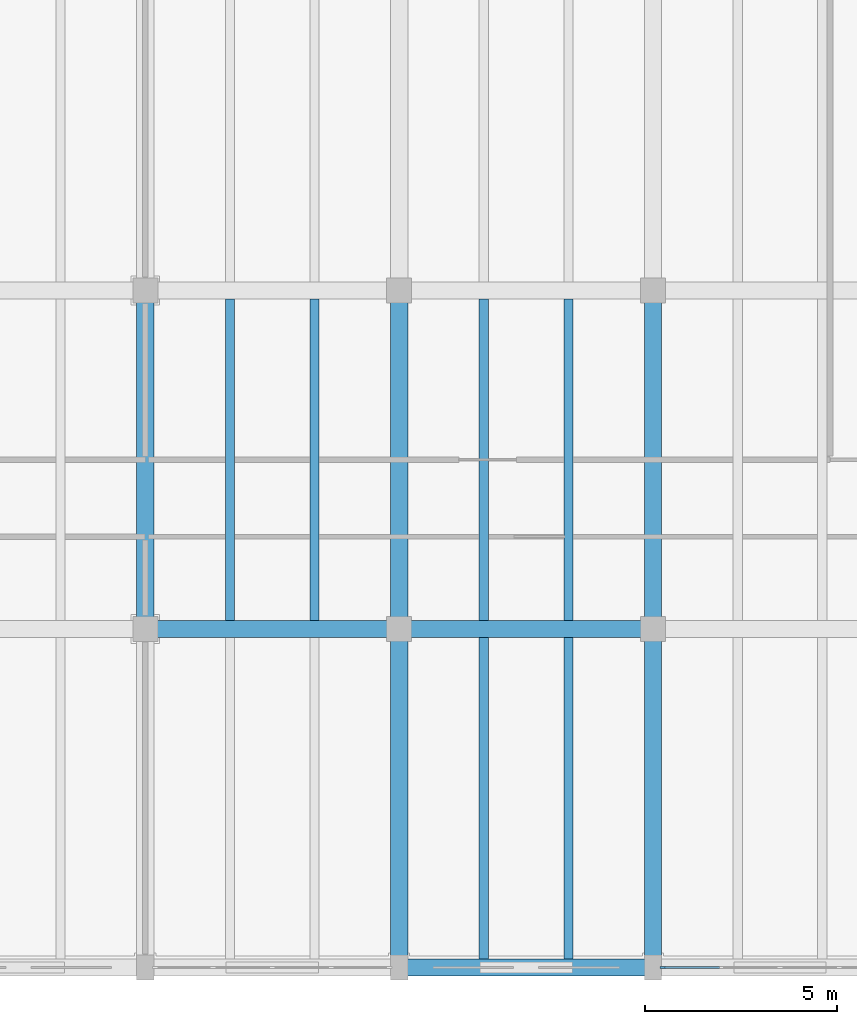
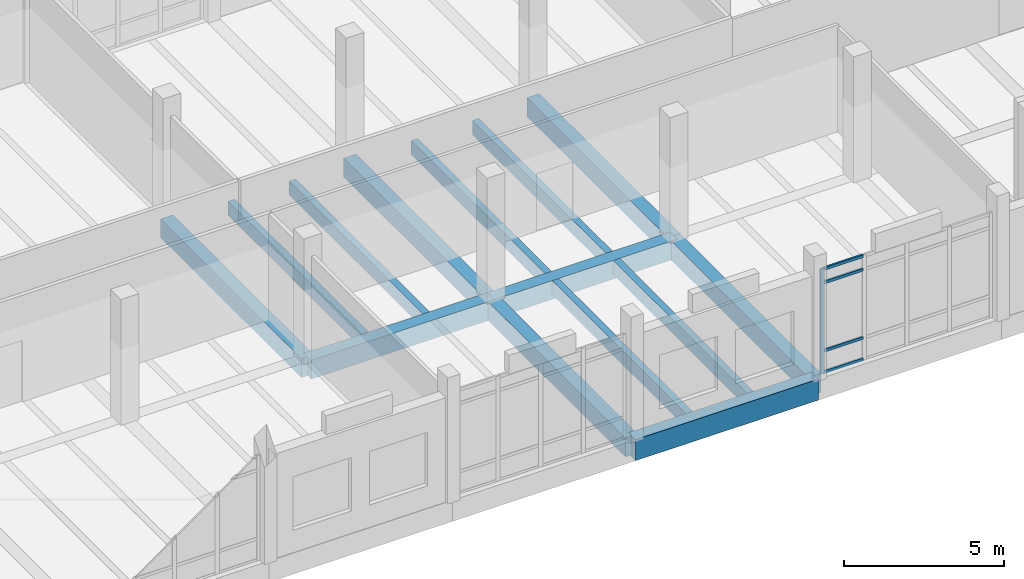
# One storey, part 36 of 101: 14 beams, 5 members, 1 element without a shape of its own.
"""IFC4 building model written with IfcOpenShell, lengths in metres."""

from ifc_helpers import new_model, si_unit, direction, frame, origin, origin_2d, place, context, subcontext, project, spatial, rectangle, extrude, material, material_profile, profile_set, type_object, element, aggregate, save


model = new_model("IFC4")

# Units and contexts
model_context = context("Model", 3, precision=1e-05, world=origin(), true_north=direction((0.0, 1.0)))
body_context = subcontext(model_context, "Body", "Model", "MODEL_VIEW")
ifc_project = project(units=[si_unit("LENGTHUNIT", "METRE"), si_unit("AREAUNIT", "SQUARE_METRE"), si_unit("VOLUMEUNIT", "CUBIC_METRE"), si_unit("PLANEANGLEUNIT", "RADIAN"), si_unit("MASSUNIT", "GRAM", prefix="KILO")], contexts=[model_context])

# Site, building, storey
site_placement = place(None, origin())
site = spatial("IfcSite", under=ifc_project, at=site_placement, CompositionType="ELEMENT")
building_placement = place(site_placement, origin())
building = spatial("IfcBuilding", under=site, at=building_placement, Name="Dornvale Research Institute", CompositionType="ELEMENT")
storey_placement = place(building_placement, frame((0.0, 0.0, 10.199951171875)))
storey = spatial("IfcBuildingStorey", under=building, at=storey_placement, Name="L02", CompositionType="ELEMENT", Elevation=10.199951171875)

# Beams
ifc_material_1 = material(Name="Concrete f'c 45 MPa (C35/45)", Category="concrete")
ifc_material_profile_1 = material_profile(ifc_material_1, rectangle(XDim=0.449951171875, YDim=0.715087890625, at=origin_2d()), Name="RC 450x715")
ifc_profile_set_1 = profile_set([ifc_material_profile_1], Name="Concrete f'c 45 MPa (C35/45)")
beam_type_1 = type_object("IfcBeamType", Name="Beam_RC450x715_Lab", PredefinedType="BEAM", material=ifc_profile_set_1)
beam_1_placement = place(storey_placement, frame((145.199951171875, 8.800048828125, -0.357421875), z_axis=(1.0, 0.0, 0.0), x_axis=(0.0, 1.0, 0.0)))
element("IfcBeam", 1, at=beam_1_placement, inside=storey, type_object=beam_type_1, Name="L02 primary girder #717", PredefinedType="BEAM", context=body_context, shape_type="SweptSolid", body=[
    extrude(rectangle(XDim=0.449951171875, YDim=0.715087890625, at=origin_2d()), origin(), (0.0, 0.0, 1.0), 6.60009765625),
])
beam_2_placement = place(storey_placement, frame((151.800048828125, 8.800048828125, -0.357421875), z_axis=(1.0, 0.0, 0.0), x_axis=(0.0, 1.0, 0.0)))
element("IfcBeam", 2, at=beam_2_placement, inside=storey, type_object=beam_type_1, Name="L02 primary girder #718", PredefinedType="BEAM", context=body_context, shape_type="SweptSolid", body=[
    extrude(rectangle(XDim=0.449951171875, YDim=0.715087890625, at=origin_2d()), origin(), (0.0, 0.0, 1.0), 6.599853515625),
])
for number, where, z_axis, x_axis, name in (
    (3, (145.199951171875, 8.800048828125, -0.357421875), (0.0, 1.0, 0.0), (-1.0, 0.0, 0.0), "L02 transverse girder #767"),
    (4, (151.800048828125, 0.0, -0.357421875), (0.0, 1.0, 0.0), (-1.0, 0.0, 0.0), "L02 transverse girder #769"),
    (5, (151.800048828125, 8.800048828125, -0.357421875), (0.0, 1.0, 0.0), (-1.0, 0.0, 0.0), "L02 transverse girder #770"),
    (6, (158.39990234375, 0.0, -0.357421875), (0.0, 1.0, 0.0), (-1.0, 0.0, 0.0), "L02 transverse girder #772"),
    (7, (158.39990234375, 8.800048828125, -0.357421875), (0.0, 1.0, 0.0), (-1.0, 0.0, 0.0), "L02 transverse girder #773"),
):
    element("IfcBeam", number, at=place(storey_placement, frame(where, z_axis=z_axis, x_axis=x_axis)), inside=storey, type_object=beam_type_1, Name=name, PredefinedType="BEAM", context=body_context, shape_type="SweptSolid", body=[
        extrude(rectangle(XDim=0.449951171875, YDim=0.715087890625, at=origin_2d()), origin(), (0.0, 0.0, 1.0), 8.800048828125),
    ])
ifc_material_2 = material(Name="Concrete f'c 45 MPa (C35/45)", Category="concrete")
ifc_material_profile_2 = material_profile(ifc_material_2, rectangle(XDim=0.239990234375, YDim=0.534912109375, at=origin_2d()), Name="RC 240x535")
ifc_profile_set_2 = profile_set([ifc_material_profile_2], Name="Concrete f'c 45 MPa (C35/45)")
beam_type_2 = type_object("IfcBeamType", Name="Joist_RC240x535_Waffle", PredefinedType="JOIST", material=ifc_profile_set_2)
for number, where, z_axis, x_axis, name in (
    (8, (147.39990234375, 9.02490234375, -0.267333984375), (0.0, 1.0, 0.0), (-1.0, 0.0, 0.0), "L02 laboratory waffle joist #391"),
    (9, (149.60009765625, 9.02490234375, -0.267333984375), (0.0, 1.0, 0.0), (-1.0, 0.0, 0.0), "L02 laboratory waffle joist #392"),
):
    element("IfcBeam", number, at=place(storey_placement, frame(where, z_axis=z_axis, x_axis=x_axis)), inside=storey, type_object=beam_type_2, Name=name, PredefinedType="JOIST", context=body_context, shape_type="SweptSolid", body=[
        extrude(rectangle(XDim=0.239990234375, YDim=0.534912109375, at=origin_2d()), origin(), (0.0, 0.0, 1.0), 8.35009765625),
    ])
for number, where, z_axis, x_axis, name in (
    (10, (154.0, 0.22509765625, -0.267333984375), (0.0, 1.0, 0.0), (-1.0, 0.0, 0.0), "L02 laboratory waffle joist #395"),
    (11, (156.199951171875, 0.22509765625, -0.267333984375), (0.0, 1.0, 0.0), (-1.0, 0.0, 0.0), "L02 laboratory waffle joist #396"),
):
    element("IfcBeam", number, at=place(storey_placement, frame(where, z_axis=z_axis, x_axis=x_axis)), inside=storey, type_object=beam_type_2, Name=name, PredefinedType="JOIST", context=body_context, shape_type="SweptSolid", body=[
        extrude(rectangle(XDim=0.239990234375, YDim=0.534912109375, at=origin_2d()), origin(), (0.0, 0.0, 1.0), 8.349853515625),
    ])
for number, where, z_axis, x_axis, name in (
    (12, (154.0, 9.02490234375, -0.267333984375), (0.0, 1.0, 0.0), (-1.0, 0.0, 0.0), "L02 laboratory waffle joist #397"),
    (13, (156.199951171875, 9.02490234375, -0.267333984375), (0.0, 1.0, 0.0), (-1.0, 0.0, 0.0), "L02 laboratory waffle joist #398"),
):
    element("IfcBeam", number, at=place(storey_placement, frame(where, z_axis=z_axis, x_axis=x_axis)), inside=storey, type_object=beam_type_2, Name=name, PredefinedType="JOIST", context=body_context, shape_type="SweptSolid", body=[
        extrude(rectangle(XDim=0.239990234375, YDim=0.534912109375, at=origin_2d()), origin(), (0.0, 0.0, 1.0), 8.35009765625),
    ])

# Curtain wall, member
ifc_material_3 = material(Name="Low-E Argon Double Insulating Glazing Unit", Category="glass")
curtain_wall_type = type_object("IfcCurtainWallType", Name="UnitisedCurtainWall_V3_6150x4000", PredefinedType="USERDEFINED", material=ifc_material_3)
curtain_wall_placement = place(storey_placement, origin())
curtain_wall = element("IfcCurtainWall", 14, at=curtain_wall_placement, inside=storey, type_object=curtain_wall_type, Name="L02 V3 unitised curtain wall CW-06 #49", ObjectType="UNITISED CURTAIN WALL", PredefinedType="USERDEFINED")
ifc_material_4 = material(Name="Anodized Aluminum AA 6063-T6 Thermally Broken Frame", Category="aluminium")
ifc_material_profile_3 = material_profile(ifc_material_4, rectangle(XDim=0.06494140625, YDim=0.14990234375, at=origin_2d()), Name="ALU MULLION 65x150")
ifc_profile_set_3 = profile_set([ifc_material_profile_3], Name="Anodized Aluminum AA 6063-T6 Thermally Broken Frame")
member_type_1 = type_object("IfcMemberType", Name="Mullion_CW_65x150", PredefinedType="MULLION", material=ifc_profile_set_3)
member_1_placement = place(storey_placement, frame((158.657470703125, 0.0, 0.0), z_axis=(0.0, 0.0, 1.0), x_axis=(0.0, -1.0, 0.0)))
member_1 = element("IfcMember", 15, at=member_1_placement, type_object=member_type_1, Name="CW-06 mullion 5", PredefinedType="MULLION", context=body_context, shape_type="SweptSolid", body=[
    extrude(rectangle(XDim=0.06494140625, YDim=0.14990234375, at=origin_2d()), origin(), (0.0, 0.0, 1.0), 4.0),
])

# Beam
ifc_material_5 = material(Name="Concrete f'c 45 MPa (C35/45)", Category="concrete")
ifc_material_profile_4 = material_profile(ifc_material_5, rectangle(XDim=0.449951171875, YDim=0.800048828125, at=origin_2d()), Name="RC 450x800")
ifc_profile_set_4 = profile_set([ifc_material_profile_4], Name="Concrete f'c 45 MPa (C35/45)")
beam_type_3 = type_object("IfcBeamType", Name="Spandrel_RC450x800_Ext", PredefinedType="SPANDREL", material=ifc_profile_set_4)
beam_3_placement = place(storey_placement, frame((151.800048828125, 0.0, -0.39990234375), z_axis=(1.0, 0.0, 0.0), x_axis=(0.0, 1.0, 0.0)))
element("IfcBeam", 16, at=beam_3_placement, inside=storey, type_object=beam_type_3, Name="L02 perimeter spandrel #706", PredefinedType="SPANDREL", context=body_context, shape_type="SweptSolid", body=[
    extrude(rectangle(XDim=0.449951171875, YDim=0.800048828125, at=origin_2d()), origin(), (0.0, 0.0, 1.0), 6.599853515625),
])

# Member
ifc_material_6 = material(Name="Anodized Aluminum AA 6063-T6 Thermally Broken Frame", Category="aluminium")
ifc_material_profile_5 = material_profile(ifc_material_6, rectangle(XDim=0.06494140625, YDim=0.110107421875, at=origin_2d()), Name="ALU TRANSOM 65x110")
ifc_profile_set_5 = profile_set([ifc_material_profile_5], Name="Anodized Aluminum AA 6063-T6 Thermally Broken Frame")
member_type_2 = type_object("IfcMemberType", Name="Transom_CW_65x110", PredefinedType="USERDEFINED", material=ifc_profile_set_5)
member_2_placement = place(storey_placement, frame((160.1298828125, 0.0, 0.032470703125), z_axis=(-1.0, 0.0, 0.0), x_axis=(0.0, -1.0, 0.0)))
member_2 = element("IfcMember", 17, at=member_2_placement, type_object=member_type_2, Name="CW-06 transom 4.1", ObjectType="TRANSOM", PredefinedType="USERDEFINED", context=body_context, shape_type="SweptSolid", body=[
    extrude(rectangle(XDim=0.06494140625, YDim=0.110107421875, at=origin_2d()), origin(), (0.0, 0.0, 1.0), 1.43994140625),
])

member_3_placement = place(storey_placement, frame((160.1298828125, 0.0, 0.85009765625), z_axis=(-1.0, 0.0, 0.0), x_axis=(0.0, -1.0, 0.0)))
member_3 = element("IfcMember", 18, at=member_3_placement, type_object=member_type_2, Name="CW-06 transom 4.2", ObjectType="TRANSOM", PredefinedType="USERDEFINED", context=body_context, shape_type="SweptSolid", body=[
    extrude(rectangle(XDim=0.06494140625, YDim=0.110107421875, at=origin_2d()), origin(), (0.0, 0.0, 1.0), 1.43994140625),
])

member_4_placement = place(storey_placement, frame((160.1298828125, 0.0, 3.449951171875), z_axis=(-1.0, 0.0, 0.0), x_axis=(0.0, -1.0, 0.0)))
member_4 = element("IfcMember", 19, at=member_4_placement, type_object=member_type_2, Name="CW-06 transom 4.3", ObjectType="TRANSOM", PredefinedType="USERDEFINED", context=body_context, shape_type="SweptSolid", body=[
    extrude(rectangle(XDim=0.06494140625, YDim=0.110107421875, at=origin_2d()), origin(), (0.0, 0.0, 1.0), 1.43994140625),
])

member_5_placement = place(storey_placement, frame((160.1298828125, 0.0, 3.967529296875), z_axis=(-1.0, 0.0, 0.0), x_axis=(0.0, -1.0, 0.0)))
member_5 = element("IfcMember", 20, at=member_5_placement, type_object=member_type_2, Name="CW-06 transom 4.4", ObjectType="TRANSOM", PredefinedType="USERDEFINED", context=body_context, shape_type="SweptSolid", body=[
    extrude(rectangle(XDim=0.06494140625, YDim=0.110107421875, at=origin_2d()), origin(), (0.0, 0.0, 1.0), 1.43994140625),
])

aggregate(curtain_wall, [member_1, member_2, member_3, member_4, member_5])

save(model, "model.ifc")
